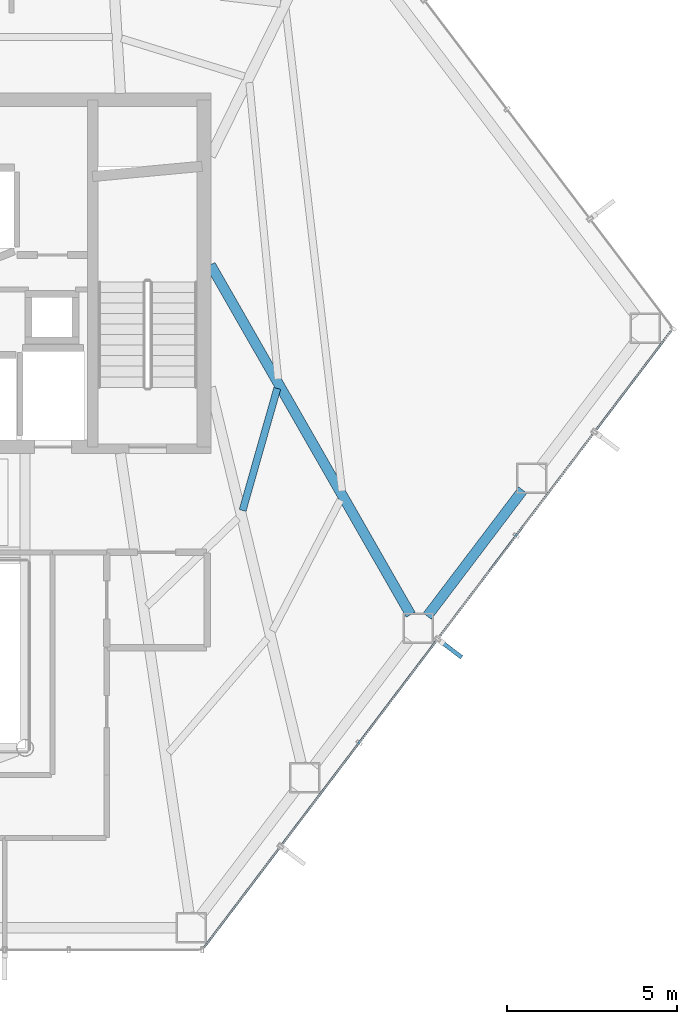
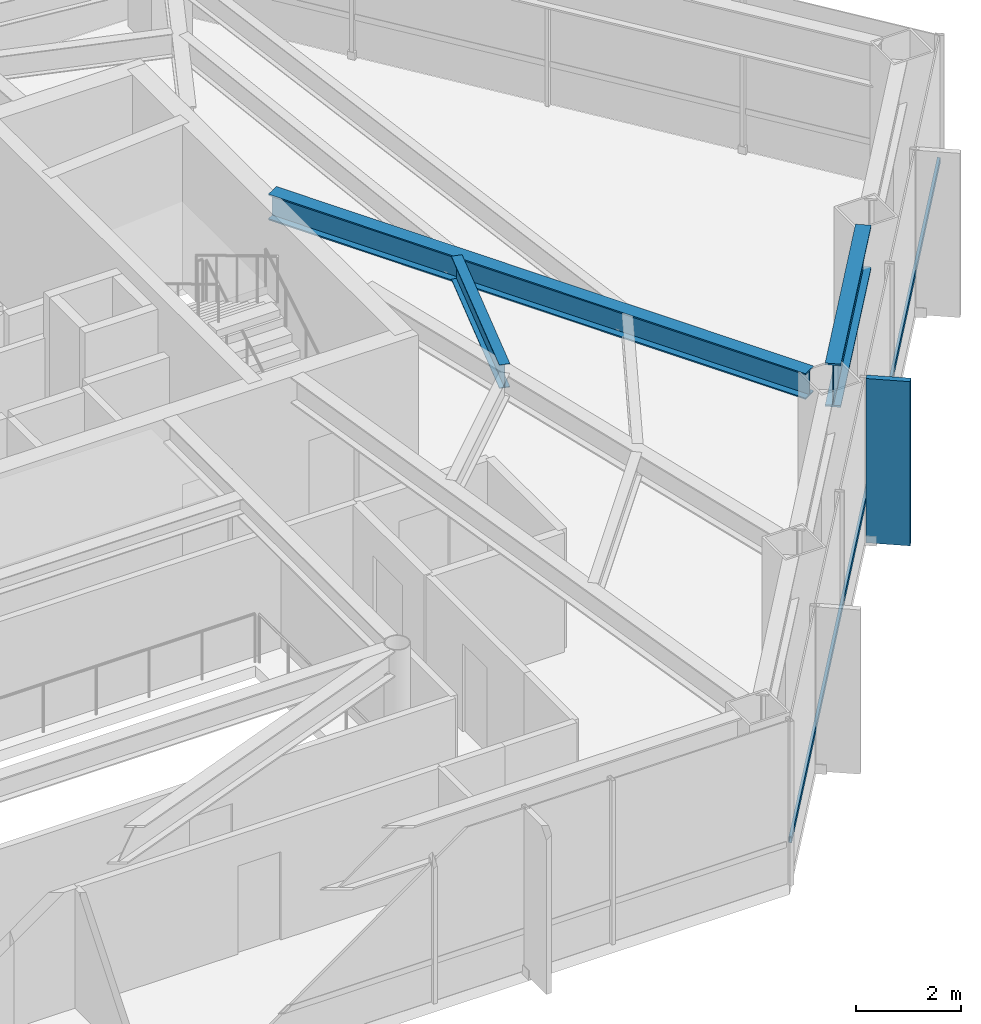
# One storey, part 16 of 25: 3 beams, 2 members, 1 element without a shape of its own.
"""IFC4 building model written with IfcOpenShell, lengths in metres."""

from ifc_helpers import new_model, si_unit, direction, frame, origin, origin_2d, place, context, subcontext, project, spatial, rectangle, hollow_rectangle, i_section, extrude, material, layer, layer_set, material_profile, profile_set, type_object, element, aggregate, save


model = new_model("IFC4")

# Units and contexts
model_context = context("Model", 3, precision=1e-05, world=origin(), true_north=direction((0.0, 1.0)))
body_context = subcontext(model_context, "Body", "Model", "MODEL_VIEW")
ifc_project = project(units=[si_unit("LENGTHUNIT", "METRE"), si_unit("AREAUNIT", "SQUARE_METRE"), si_unit("VOLUMEUNIT", "CUBIC_METRE"), si_unit("PLANEANGLEUNIT", "RADIAN"), si_unit("MASSUNIT", "GRAM", prefix="KILO")], contexts=[model_context])

# Site, building, storey
site_placement = place(None, origin())
site = spatial("IfcSite", under=ifc_project, at=site_placement, CompositionType="ELEMENT")
building_placement = place(site_placement, origin())
building = spatial("IfcBuilding", under=site, at=building_placement, Name="Zarrinselat Tower", CompositionType="ELEMENT")
storey_placement = place(building_placement, frame((0.0, 0.0, 84.659912109375)))
storey = spatial("IfcBuildingStorey", under=building, at=storey_placement, Name="L20", CompositionType="ELEMENT", Elevation=84.659912109375)

# Beams
ifc_material_1 = material(Name="Steel S355J2", Category="steel")
ifc_material_profile_1 = material_profile(ifc_material_1, i_section(OverallWidth=0.300048828125, OverallDepth=0.60009765625, WebThickness=0.015380859375, FlangeThickness=0.030029296875, at=origin_2d()), Name="HEB 600")
ifc_profile_set_1 = profile_set([ifc_material_profile_1], Name="Steel S355J2")
beam_type_1 = type_object("IfcBeamType", Name="BM-HEB600", PredefinedType="BEAM", material=ifc_profile_set_1)
beam_1_placement = place(storey_placement, frame((48.449951171875, 38.60009765625, 3.52001953125), z_axis=(0.496587078993, -0.867986908298, 0.0), x_axis=(0.867986908298, 0.496587078993, 0.0)))
element("IfcBeam", 1, at=beam_1_placement, inside=storey, type_object=beam_type_1, Name="L20 Radial Primary Girder RG13", PredefinedType="BEAM", context=body_context, shape_type="SweptSolid", body=[
    extrude(i_section(OverallWidth=0.300048828125, OverallDepth=0.60009765625, WebThickness=0.015380859375, FlangeThickness=0.030029296875, at=origin_2d()), origin(), (0.0, 0.0, 1.0), 11.849365234375),
])
ifc_material_2 = material(Name="Steel S460M", Category="steel")
ifc_material_profile_2 = material_profile(ifc_material_2, i_section(OverallWidth=0.302001953125, OverallDepth=1.008056640625, WebThickness=0.02099609375, FlangeThickness=0.0400390625, at=origin_2d()), Name="HEM 1000")
ifc_profile_set_2 = profile_set([ifc_material_profile_2], Name="Steel S460M")
beam_type_2 = type_object("IfcBeamType", Name="BM-HEM1000", PredefinedType="BEAM", material=ifc_profile_set_2)
beam_2_placement = place(storey_placement, frame((54.8232421875, 28.271728515625, 3.316162109375), z_axis=(0.603822320769, 0.797118940273, 0.0), x_axis=(-0.797118940273, 0.603822320769, 0.0)))
element("IfcBeam", 2, at=beam_2_placement, inside=storey, type_object=beam_type_2, Name="L20 Perimeter Spandrel Girder SP13", PredefinedType="BEAM", context=body_context, shape_type="SweptSolid", body=[
    extrude(i_section(OverallWidth=0.302001953125, OverallDepth=1.008056640625, WebThickness=0.02099609375, FlangeThickness=0.0400390625, at=origin_2d()), origin(), (0.0, 0.0, 1.0), 4.65185546875),
])
ifc_material_3 = material(Name="Steel S355J2", Category="steel")
ifc_material_profile_3 = material_profile(ifc_material_3, i_section(OverallWidth=0.2099609375, OverallDepth=0.550048828125, WebThickness=0.010986328125, FlangeThickness=0.01708984375, at=origin_2d()), Name="IPE 550")
ifc_profile_set_3 = profile_set([ifc_material_profile_3], Name="Steel S355J2")
beam_type_3 = type_object("IfcBeamType", Name="BM-IPE550", PredefinedType="JOIST", material=ifc_profile_set_3)
beam_3_placement = place(storey_placement, frame((49.394287109375, 31.379638671875, 3.545166015625), z_axis=(0.272905466945, 0.9620408547, 0.0), x_axis=(-0.9620408547, 0.272905466945, 0.0)))
element("IfcBeam", 3, at=beam_3_placement, inside=storey, type_object=beam_type_3, Name="L20 Composite Floor Joist 4-2", PredefinedType="JOIST", context=body_context, shape_type="SweptSolid", body=[
    extrude(i_section(OverallWidth=0.2099609375, OverallDepth=0.550048828125, WebThickness=0.010986328125, FlangeThickness=0.01708984375, at=origin_2d()), origin(), (0.0, 0.0, 1.0), 3.73046875),
])

# Curtain wall, members
ifc_material_4 = material(Name="Extruded Aluminium Alloy EN AW-6063 T6", Category="aluminium")
ifc_layer = layer(ifc_material_4, 0.18505859375)
ifc_layer_set = layer_set([ifc_layer], Name="Extruded Aluminium Alloy EN AW-6063 T6")
curtain_wall_type = type_object("IfcCurtainWallType", Name="CWS-OFF", PredefinedType="NOTDEFINED", material=ifc_layer_set)
curtain_wall_placement = place(storey_placement, origin())
curtain_wall = element("IfcCurtainWall", 4, at=curtain_wall_placement, inside=storey, type_object=curtain_wall_type, Name="L20 Unitised Curtain Wall CW-L20-E05", PredefinedType="NOTDEFINED")
ifc_material_5 = material(Name="Extruded Aluminium Alloy EN AW-6063 T6", Category="aluminium")
ifc_material_profile_4 = material_profile(ifc_material_5, hollow_rectangle(XDim=0.06005859375, YDim=0.139892578125, WallThickness=0.00390625, at=origin_2d()), Name="RHS 140x60x4")
ifc_profile_set_4 = profile_set([ifc_material_profile_4], Name="Extruded Aluminium Alloy EN AW-6063 T6")
member_type_1 = type_object("IfcMemberType", Name="MEM-CW-TRN", PredefinedType="USERDEFINED", material=ifc_profile_set_4)
member_1_placement = place(storey_placement, frame((48.260009765625, 18.53173828125, 0.9501953125), z_axis=(0.603858514557, 0.79709152197, 0.0), x_axis=(-0.79709152197, 0.603858514557, 0.0)))
member_1 = element("IfcMember", 5, at=member_1_placement, type_object=member_type_1, Name="CW-L20-E05 Transom 1", ObjectType="TRANSOM", PredefinedType="USERDEFINED", context=body_context, shape_type="SweptSolid", body=[
    extrude(hollow_rectangle(XDim=0.06005859375, YDim=0.139892578125, WallThickness=0.00390625, at=origin_2d()), origin(), (0.0, 0.0, 1.0), 22.7470703125),
])
ifc_material_6 = material(Name="Honed Cream Travertine Stone", Category="masonry")
ifc_material_profile_5 = material_profile(ifc_material_6, rectangle(XDim=0.1201171875, YDim=0.85009765625, at=origin_2d()), Name="FIN 850x120")
ifc_profile_set_5 = profile_set([ifc_material_profile_5], Name="Honed Cream Travertine Stone")
member_type_2 = type_object("IfcMemberType", Name="MEM-STONE-FIN", PredefinedType="USERDEFINED", material=ifc_profile_set_5)
member_2_placement = place(storey_placement, frame((55.49462890625, 27.31982421875, 0.0), z_axis=(0.0, 0.0, 1.0), x_axis=(-0.603855672579, -0.797093674981, 0.0)))
member_2 = element("IfcMember", 6, at=member_2_placement, type_object=member_type_2, Name="L20 Stone Shading Fin CW-L20-E05-03", ObjectType="FIN", PredefinedType="USERDEFINED", context=body_context, shape_type="SweptSolid", body=[
    extrude(rectangle(XDim=0.1201171875, YDim=0.85009765625, at=origin_2d()), origin(), (0.0, 0.0, 1.0), 3.820068359375),
])
aggregate(curtain_wall, [member_2, member_1])

save(model, "model.ifc")
